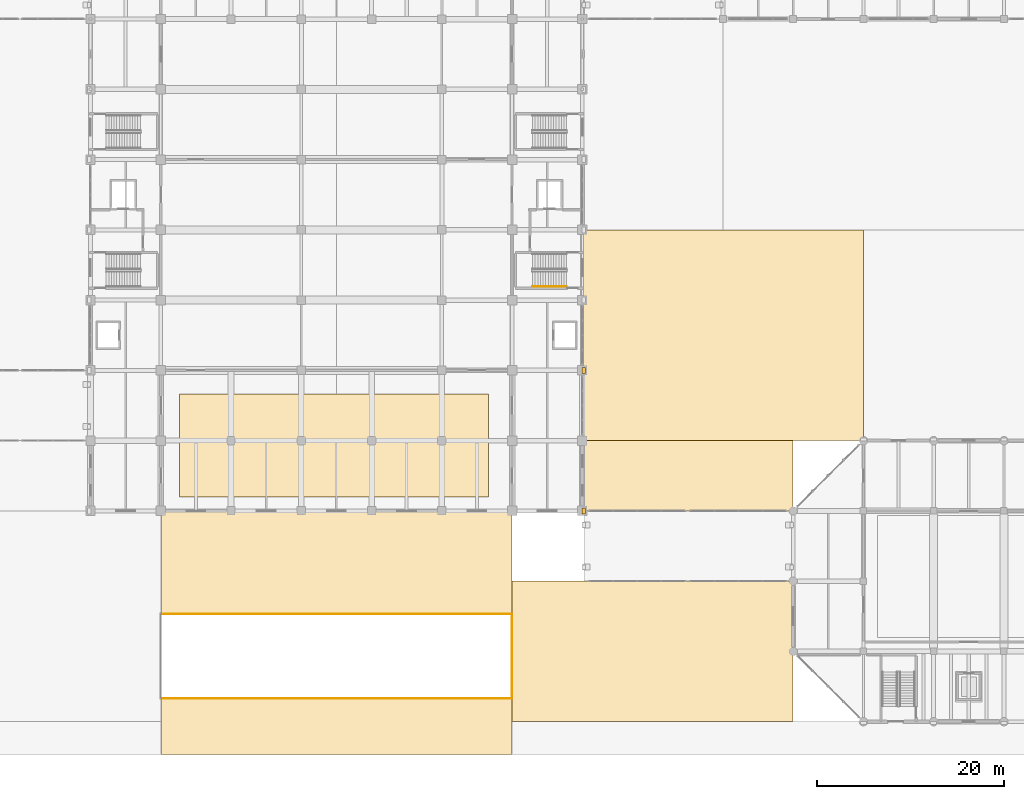
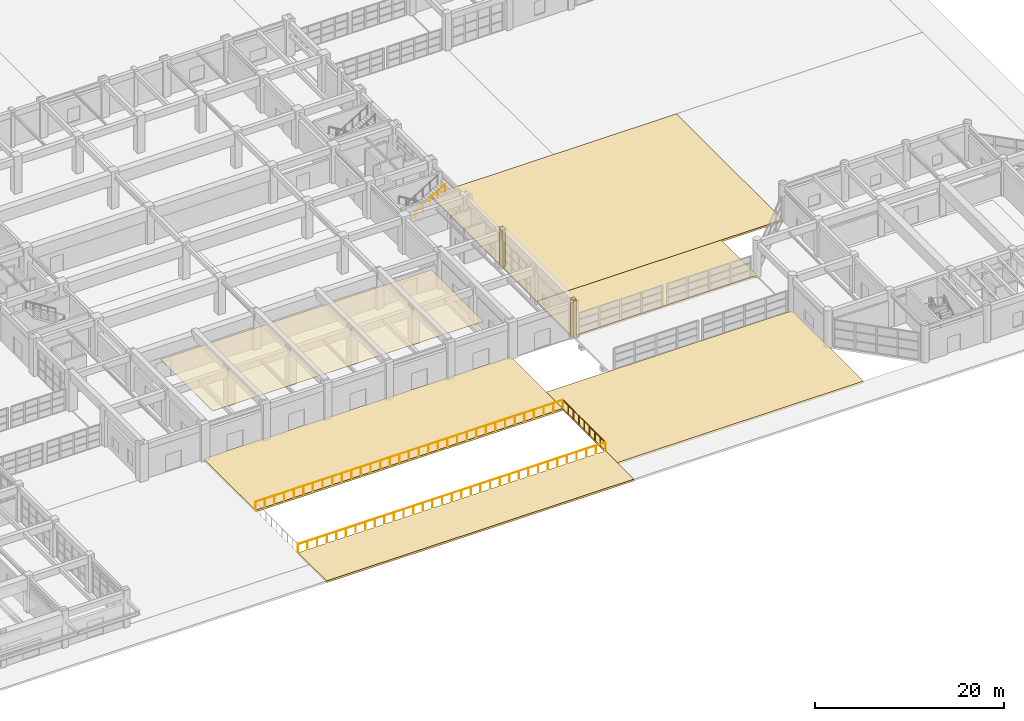
# One storey, part 110 of 122: 8 coverings, 4 railings.
"""IFC4 building model written with IfcOpenShell, lengths in metres."""

from ifc_helpers import new_model, si_unit, direction, frame, origin, origin_2d, place, context, subcontext, project, spatial, polyline, rectangle, circle, outline, extrude, material, layer, layer_set, type_object, element, save


model = new_model("IFC4")

# Units and contexts
model_context = context("Model", 3, precision=1e-05, world=origin(), true_north=direction((0.0, 1.0)))
body_context = subcontext(model_context, "Body", "Model", "MODEL_VIEW")
ifc_project = project(units=[si_unit("LENGTHUNIT", "METRE"), si_unit("AREAUNIT", "SQUARE_METRE"), si_unit("VOLUMEUNIT", "CUBIC_METRE"), si_unit("PLANEANGLEUNIT", "RADIAN"), si_unit("MASSUNIT", "GRAM", prefix="KILO")], contexts=[model_context])

# Site, building, storey
site_placement = place(None, origin())
site = spatial("IfcSite", under=ifc_project, at=site_placement, CompositionType="ELEMENT")
building_placement = place(site_placement, origin())
building = spatial("IfcBuilding", under=site, at=building_placement, Name="Qasida Concert Hall", CompositionType="ELEMENT")
storey_placement = place(building_placement, origin())
storey = spatial("IfcBuildingStorey", under=building, at=storey_placement, Name="L00", CompositionType="ELEMENT", Elevation=0.0)

# Coverings
ifc_material_1 = material(Name="Sculpted fibrous plaster acoustic reflector ceiling", Category="gypsum")
ifc_layer_1 = layer(ifc_material_1, 0.0400390625, Name="Sculpted fibrous plaster acoustic reflector ceiling")
ifc_layer_set_1 = layer_set([ifc_layer_1], Name="Sculpted fibrous plaster acoustic reflector ceiling")
covering_type_1 = type_object("IfcCoveringType", Name="CV-CE-1", PredefinedType="CEILING", material=ifc_layer_set_1)
covering_1_placement = place(storey_placement, frame((0.0, 0.0, 4.47998046875)))
element("IfcCovering", 1, at=covering_1_placement, inside=storey, type_object=covering_type_1, Name="L00 acoustic reflector ceiling 02", PredefinedType="CEILING", context=body_context, shape_type="SweptSolid", body=[
    extrude(outline(polyline([(62.0, 24.0), (95.0, 24.0), (95.0, 35.0), (62.0, 35.0), (62.0, 24.0)])), origin(), (0.0, 0.0, 1.0), 0.0400390625),
])
ifc_material_2 = material(Name="Bush-hammered Lebanese limestone plaza paving", Category="masonry")
ifc_layer_2 = layer(ifc_material_2, 0.25, Name="Bush-hammered Lebanese limestone plaza paving")
ifc_layer_set_2 = layer_set([ifc_layer_2], Name="Bush-hammered Lebanese limestone plaza paving")
covering_type_2 = type_object("IfcCoveringType", Name="CV-PAV-250", PredefinedType="FLOORING", material=ifc_layer_set_2)
covering_2_placement = place(storey_placement, frame((0.0, 0.0, -0.25)))
element("IfcCovering", 2, at=covering_2_placement, inside=storey, type_object=covering_type_2, Name="L00 South boulevard promenade forecourt-south", PredefinedType="FLOORING", context=body_context, shape_type="SweptSolid", body=[
    extrude(outline(polyline([(60.0, -3.5), (97.5, -3.5), (97.5, 2.5), (60.0, 2.5), (60.0, -3.5)])), origin(), (0.0, 0.0, 1.0), 0.25),
])
covering_3_placement = place(storey_placement, frame((0.0, 0.0, -0.25)))
element("IfcCovering", 3, at=covering_3_placement, inside=storey, type_object=covering_type_2, Name="L00 Forecourt north sheltered wedge plaza", PredefinedType="FLOORING", context=body_context, shape_type="SweptSolid", body=[
    extrude(outline(polyline([(60.0, 11.5), (97.5, 11.5), (97.5, 22.5), (60.0, 22.5), (60.0, 11.5)])), origin(), (0.0, 0.0, 1.0), 0.25),
])
covering_4_placement = place(storey_placement, frame((0.0, 0.0, -0.25)))
element("IfcCovering", 4, at=covering_4_placement, inside=storey, type_object=covering_type_2, Name="L00 Forecourt east terrace plaza", PredefinedType="FLOORING", context=body_context, shape_type="SweptSolid", body=[
    extrude(outline(polyline([(97.5, 0.0), (127.5, 0.0), (127.5, 15.0), (97.5, 15.0), (97.5, 0.0)])), origin(), (0.0, 0.0, 1.0), 0.25),
])
covering_5_placement = place(storey_placement, frame((0.0, 0.0, -0.25)))
element("IfcCovering", 5, at=covering_5_placement, inside=storey, type_object=covering_type_2, Name="L00 Chamber west forecourt plaza", PredefinedType="FLOORING", context=body_context, shape_type="SweptSolid", body=[
    extrude(outline(polyline([(105.0, 22.5), (127.5, 22.5), (127.5, 30.0), (105.0, 30.0), (105.0, 22.5)])), origin(), (0.0, 0.0, 1.0), 0.25),
])
covering_6_placement = place(storey_placement, frame((0.0, 0.0, -0.25)))
element("IfcCovering", 6, at=covering_6_placement, inside=storey, type_object=covering_type_2, Name="L00 East symphony colonnade court south", PredefinedType="FLOORING", context=body_context, shape_type="SweptSolid", body=[
    extrude(outline(polyline([(105.0, 30.0), (135.0, 30.0), (135.0, 52.5), (105.0, 52.5), (105.0, 30.0)])), origin(), (0.0, 0.0, 1.0), 0.25),
])
ifc_material_3 = material(Name="Projecting fluted Lebanese limestone Art Deco pilaster", Category="masonry")
ifc_layer_3 = layer(ifc_material_3, 0.35009765625, Name="Projecting fluted Lebanese limestone Art Deco pilaster")
ifc_layer_set_3 = layer_set([ifc_layer_3], Name="Projecting fluted Lebanese limestone Art Deco pilaster")
covering_type_3 = type_object("IfcCoveringType", Name="CV-PIL-650", PredefinedType="CLADDING", material=ifc_layer_set_3)
for number, where, z_axis, x_axis, name in (
    (7, (105.135009765625, 22.5, 0.0), (0.0, 0.0, 1.0), (1.0, 0.0, 0.0), "L00 fluted limestone pilaster 0008"),
    (8, (105.135009765625, 37.5, 0.0), (0.0, 0.0, 1.0), (1.0, 0.0, 0.0), "L00 fluted limestone pilaster 0022"),
):
    element("IfcCovering", number, at=place(storey_placement, frame(where, z_axis=z_axis, x_axis=x_axis)), inside=storey, type_object=covering_type_3, Name=name, PredefinedType="CLADDING", context=body_context, shape_type="SweptSolid", body=[
        extrude(rectangle(XDim=0.35009765625, YDim=0.64990234375, at=origin_2d()), origin(), (0.0, 0.0, 1.0), 4.800048828125),
    ])

# Railings
ifc_material_4 = material(Name="Carved Lebanese limestone and bronze top rail", Category="masonry")
ifc_layer_4 = layer(ifc_material_4, 0.10009765625, Name="Carved Lebanese limestone and bronze top rail")
ifc_layer_set_4 = layer_set([ifc_layer_4], Name="Carved Lebanese limestone and bronze top rail")
railing_type_1 = type_object("IfcRailingType", Name="RL-BAL-1100", PredefinedType="BALUSTRADE", material=ifc_layer_set_4)
railing_1_placement = place(storey_placement, frame((60.0, 2.5, 0.0)))
element("IfcRailing", 9, at=railing_1_placement, inside=storey, type_object=railing_type_1, Name="L00 Sunken metro forecourt balustrade 0131", PredefinedType="BALUSTRADE", context=body_context, shape_type="SweptSolid", body=[
    extrude(circle(Radius=0.02392578125, at=origin_2d()), frame((0.0, 0.0, 1.09619140625), z_axis=(1.0, 0.0, 0.0), x_axis=(0.0, 1.0, 0.0)), (0.0, 0.0, 1.0), 37.5),
    extrude(circle(Radius=0.02099609375, at=origin_2d()), origin(), (0.0, 0.0, 1.0), 1.072021484375),
    extrude(circle(Radius=0.02099609375, at=origin_2d()), frame((1.171875, 0.0, 0.0)), (0.0, 0.0, 1.0), 1.072021484375),
    extrude(circle(Radius=0.02099609375, at=origin_2d()), frame((2.34375, 0.0, 0.0)), (0.0, 0.0, 1.0), 1.072021484375),
    extrude(circle(Radius=0.02099609375, at=origin_2d()), frame((3.515625, 0.0, 0.0)), (0.0, 0.0, 1.0), 1.072021484375),
    extrude(circle(Radius=0.02099609375, at=origin_2d()), frame((4.6875, 0.0, 0.0)), (0.0, 0.0, 1.0), 1.072021484375),
    extrude(circle(Radius=0.02099609375, at=origin_2d()), frame((5.859375, 0.0, 0.0)), (0.0, 0.0, 1.0), 1.072021484375),
    extrude(circle(Radius=0.02099609375, at=origin_2d()), frame((7.03125, 0.0, 0.0)), (0.0, 0.0, 1.0), 1.072021484375),
    extrude(circle(Radius=0.02099609375, at=origin_2d()), frame((8.203125, 0.0, 0.0)), (0.0, 0.0, 1.0), 1.072021484375),
    extrude(circle(Radius=0.02099609375, at=origin_2d()), frame((9.375, 0.0, 0.0)), (0.0, 0.0, 1.0), 1.072021484375),
    extrude(circle(Radius=0.02099609375, at=origin_2d()), frame((10.546875, 0.0, 0.0)), (0.0, 0.0, 1.0), 1.072021484375),
    extrude(circle(Radius=0.02099609375, at=origin_2d()), frame((11.71875, 0.0, 0.0)), (0.0, 0.0, 1.0), 1.072021484375),
    extrude(circle(Radius=0.02099609375, at=origin_2d()), frame((12.890625, 0.0, 0.0)), (0.0, 0.0, 1.0), 1.072021484375),
    extrude(circle(Radius=0.02099609375, at=origin_2d()), frame((14.0625, 0.0, 0.0)), (0.0, 0.0, 1.0), 1.072021484375),
    extrude(circle(Radius=0.02099609375, at=origin_2d()), frame((15.234375, 0.0, 0.0)), (0.0, 0.0, 1.0), 1.072021484375),
    extrude(circle(Radius=0.02099609375, at=origin_2d()), frame((16.40625, 0.0, 0.0)), (0.0, 0.0, 1.0), 1.072021484375),
    extrude(circle(Radius=0.02099609375, at=origin_2d()), frame((17.578125, 0.0, 0.0)), (0.0, 0.0, 1.0), 1.072021484375),
    extrude(circle(Radius=0.02099609375, at=origin_2d()), frame((18.75, 0.0, 0.0)), (0.0, 0.0, 1.0), 1.072021484375),
    extrude(circle(Radius=0.02099609375, at=origin_2d()), frame((19.921875, 0.0, 0.0)), (0.0, 0.0, 1.0), 1.072021484375),
    extrude(circle(Radius=0.02099609375, at=origin_2d()), frame((21.09375, 0.0, 0.0)), (0.0, 0.0, 1.0), 1.072021484375),
    extrude(circle(Radius=0.02099609375, at=origin_2d()), frame((22.265625, 0.0, 0.0)), (0.0, 0.0, 1.0), 1.072021484375),
    extrude(circle(Radius=0.02099609375, at=origin_2d()), frame((23.4375, 0.0, 0.0)), (0.0, 0.0, 1.0), 1.072021484375),
    extrude(circle(Radius=0.02099609375, at=origin_2d()), frame((24.609375, 0.0, 0.0)), (0.0, 0.0, 1.0), 1.072021484375),
    extrude(circle(Radius=0.02099609375, at=origin_2d()), frame((25.78125, 0.0, 0.0)), (0.0, 0.0, 1.0), 1.072021484375),
    extrude(circle(Radius=0.02099609375, at=origin_2d()), frame((26.953125, 0.0, 0.0)), (0.0, 0.0, 1.0), 1.072021484375),
    extrude(circle(Radius=0.02099609375, at=origin_2d()), frame((28.125, 0.0, 0.0)), (0.0, 0.0, 1.0), 1.072021484375),
    extrude(circle(Radius=0.02099609375, at=origin_2d()), frame((29.296875, 0.0, 0.0)), (0.0, 0.0, 1.0), 1.072021484375),
    extrude(circle(Radius=0.02099609375, at=origin_2d()), frame((30.46875, 0.0, 0.0)), (0.0, 0.0, 1.0), 1.072021484375),
    extrude(circle(Radius=0.02099609375, at=origin_2d()), frame((31.640625, 0.0, 0.0)), (0.0, 0.0, 1.0), 1.072021484375),
    extrude(circle(Radius=0.02099609375, at=origin_2d()), frame((32.8125, 0.0, 0.0)), (0.0, 0.0, 1.0), 1.072021484375),
    extrude(circle(Radius=0.02099609375, at=origin_2d()), frame((33.984375, 0.0, 0.0)), (0.0, 0.0, 1.0), 1.072021484375),
    extrude(circle(Radius=0.02099609375, at=origin_2d()), frame((35.15625, 0.0, 0.0)), (0.0, 0.0, 1.0), 1.072021484375),
    extrude(circle(Radius=0.02099609375, at=origin_2d()), frame((36.328125, 0.0, 0.0)), (0.0, 0.0, 1.0), 1.072021484375),
    extrude(circle(Radius=0.02099609375, at=origin_2d()), frame((37.5, 0.0, 0.0)), (0.0, 0.0, 1.0), 1.072021484375),
])
railing_2_placement = place(storey_placement, frame((97.5, 2.5, 0.0)))
element("IfcRailing", 10, at=railing_2_placement, inside=storey, type_object=railing_type_1, Name="L00 Sunken metro forecourt balustrade 0132", PredefinedType="BALUSTRADE", context=body_context, shape_type="SweptSolid", body=[
    extrude(circle(Radius=0.02392578125, at=origin_2d()), frame((0.0, 0.0, 1.09619140625), z_axis=(0.0, 1.0, 0.0), x_axis=(-1.0, 0.0, 0.0)), (0.0, 0.0, 1.0), 9.0),
    extrude(circle(Radius=0.02099609375, at=origin_2d()), origin(), (0.0, 0.0, 1.0), 1.072021484375),
    extrude(circle(Radius=0.02099609375, at=origin_2d()), frame((0.0, 1.125, 0.0)), (0.0, 0.0, 1.0), 1.072021484375),
    extrude(circle(Radius=0.02099609375, at=origin_2d()), frame((0.0, 2.25, 0.0)), (0.0, 0.0, 1.0), 1.072021484375),
    extrude(circle(Radius=0.02099609375, at=origin_2d()), frame((0.0, 3.375, 0.0)), (0.0, 0.0, 1.0), 1.072021484375),
    extrude(circle(Radius=0.02099609375, at=origin_2d()), frame((0.0, 4.5, 0.0)), (0.0, 0.0, 1.0), 1.072021484375),
    extrude(circle(Radius=0.02099609375, at=origin_2d()), frame((0.0, 5.625, 0.0)), (0.0, 0.0, 1.0), 1.072021484375),
    extrude(circle(Radius=0.02099609375, at=origin_2d()), frame((0.0, 6.75, 0.0)), (0.0, 0.0, 1.0), 1.072021484375),
    extrude(circle(Radius=0.02099609375, at=origin_2d()), frame((0.0, 7.875, 0.0)), (0.0, 0.0, 1.0), 1.072021484375),
    extrude(circle(Radius=0.02099609375, at=origin_2d()), frame((0.0, 9.0, 0.0)), (0.0, 0.0, 1.0), 1.072021484375),
])
railing_3_placement = place(storey_placement, frame((97.5, 11.5, 0.0)))
element("IfcRailing", 11, at=railing_3_placement, inside=storey, type_object=railing_type_1, Name="L00 Sunken metro forecourt balustrade 0133", PredefinedType="BALUSTRADE", context=body_context, shape_type="SweptSolid", body=[
    extrude(circle(Radius=0.02392578125, at=origin_2d()), frame((0.0, 0.0, 1.09619140625), z_axis=(-1.0, 0.0, 0.0), x_axis=(0.0, -1.0, 0.0)), (0.0, 0.0, 1.0), 37.5),
    extrude(circle(Radius=0.02099609375, at=origin_2d()), origin(), (0.0, 0.0, 1.0), 1.072021484375),
    extrude(circle(Radius=0.02099609375, at=origin_2d()), frame((-1.171875, 0.0, 0.0)), (0.0, 0.0, 1.0), 1.072021484375),
    extrude(circle(Radius=0.02099609375, at=origin_2d()), frame((-2.34375, 0.0, 0.0)), (0.0, 0.0, 1.0), 1.072021484375),
    extrude(circle(Radius=0.02099609375, at=origin_2d()), frame((-3.515625, 0.0, 0.0)), (0.0, 0.0, 1.0), 1.072021484375),
    extrude(circle(Radius=0.02099609375, at=origin_2d()), frame((-4.6875, 0.0, 0.0)), (0.0, 0.0, 1.0), 1.072021484375),
    extrude(circle(Radius=0.02099609375, at=origin_2d()), frame((-5.859375, 0.0, 0.0)), (0.0, 0.0, 1.0), 1.072021484375),
    extrude(circle(Radius=0.02099609375, at=origin_2d()), frame((-7.03125, 0.0, 0.0)), (0.0, 0.0, 1.0), 1.072021484375),
    extrude(circle(Radius=0.02099609375, at=origin_2d()), frame((-8.203125, 0.0, 0.0)), (0.0, 0.0, 1.0), 1.072021484375),
    extrude(circle(Radius=0.02099609375, at=origin_2d()), frame((-9.375, 0.0, 0.0)), (0.0, 0.0, 1.0), 1.072021484375),
    extrude(circle(Radius=0.02099609375, at=origin_2d()), frame((-10.546875, 0.0, 0.0)), (0.0, 0.0, 1.0), 1.072021484375),
    extrude(circle(Radius=0.02099609375, at=origin_2d()), frame((-11.71875, 0.0, 0.0)), (0.0, 0.0, 1.0), 1.072021484375),
    extrude(circle(Radius=0.02099609375, at=origin_2d()), frame((-12.890625, 0.0, 0.0)), (0.0, 0.0, 1.0), 1.072021484375),
    extrude(circle(Radius=0.02099609375, at=origin_2d()), frame((-14.0625, 0.0, 0.0)), (0.0, 0.0, 1.0), 1.072021484375),
    extrude(circle(Radius=0.02099609375, at=origin_2d()), frame((-15.234375, 0.0, 0.0)), (0.0, 0.0, 1.0), 1.072021484375),
    extrude(circle(Radius=0.02099609375, at=origin_2d()), frame((-16.40625, 0.0, 0.0)), (0.0, 0.0, 1.0), 1.072021484375),
    extrude(circle(Radius=0.02099609375, at=origin_2d()), frame((-17.578125, 0.0, 0.0)), (0.0, 0.0, 1.0), 1.072021484375),
    extrude(circle(Radius=0.02099609375, at=origin_2d()), frame((-18.75, 0.0, 0.0)), (0.0, 0.0, 1.0), 1.072021484375),
    extrude(circle(Radius=0.02099609375, at=origin_2d()), frame((-19.921875, 0.0, 0.0)), (0.0, 0.0, 1.0), 1.072021484375),
    extrude(circle(Radius=0.02099609375, at=origin_2d()), frame((-21.09375, 0.0, 0.0)), (0.0, 0.0, 1.0), 1.072021484375),
    extrude(circle(Radius=0.02099609375, at=origin_2d()), frame((-22.265625, 0.0, 0.0)), (0.0, 0.0, 1.0), 1.072021484375),
    extrude(circle(Radius=0.02099609375, at=origin_2d()), frame((-23.4375, 0.0, 0.0)), (0.0, 0.0, 1.0), 1.072021484375),
    extrude(circle(Radius=0.02099609375, at=origin_2d()), frame((-24.609375, 0.0, 0.0)), (0.0, 0.0, 1.0), 1.072021484375),
    extrude(circle(Radius=0.02099609375, at=origin_2d()), frame((-25.78125, 0.0, 0.0)), (0.0, 0.0, 1.0), 1.072021484375),
    extrude(circle(Radius=0.02099609375, at=origin_2d()), frame((-26.953125, 0.0, 0.0)), (0.0, 0.0, 1.0), 1.072021484375),
    extrude(circle(Radius=0.02099609375, at=origin_2d()), frame((-28.125, 0.0, 0.0)), (0.0, 0.0, 1.0), 1.072021484375),
    extrude(circle(Radius=0.02099609375, at=origin_2d()), frame((-29.296875, 0.0, 0.0)), (0.0, 0.0, 1.0), 1.072021484375),
    extrude(circle(Radius=0.02099609375, at=origin_2d()), frame((-30.46875, 0.0, 0.0)), (0.0, 0.0, 1.0), 1.072021484375),
    extrude(circle(Radius=0.02099609375, at=origin_2d()), frame((-31.640625, 0.0, 0.0)), (0.0, 0.0, 1.0), 1.072021484375),
    extrude(circle(Radius=0.02099609375, at=origin_2d()), frame((-32.8125, 0.0, 0.0)), (0.0, 0.0, 1.0), 1.072021484375),
    extrude(circle(Radius=0.02099609375, at=origin_2d()), frame((-33.984375, 0.0, 0.0)), (0.0, 0.0, 1.0), 1.072021484375),
    extrude(circle(Radius=0.02099609375, at=origin_2d()), frame((-35.15625, 0.0, 0.0)), (0.0, 0.0, 1.0), 1.072021484375),
    extrude(circle(Radius=0.02099609375, at=origin_2d()), frame((-36.328125, 0.0, 0.0)), (0.0, 0.0, 1.0), 1.072021484375),
    extrude(circle(Radius=0.02099609375, at=origin_2d()), frame((-37.5, 0.0, 0.0)), (0.0, 0.0, 1.0), 1.072021484375),
])
ifc_material_5 = material(Name="Patinated tubular architectural bronze", Category="steel")
ifc_layer_5 = layer(ifc_material_5, 0.050048828125, Name="Patinated tubular architectural bronze")
ifc_layer_set_5 = layer_set([ifc_layer_5], Name="Patinated tubular architectural bronze")
railing_type_2 = type_object("IfcRailingType", Name="RL-HND-900", PredefinedType="HANDRAIL", material=ifc_layer_set_5)
railing_4_placement = place(storey_placement, frame((99.679931640625, 46.449951171875, 2.571533203125)))
element("IfcRailing", 12, at=railing_4_placement, inside=storey, type_object=railing_type_2, Name="L00 ST-02 stair handrail 2", PredefinedType="HANDRAIL", context=body_context, shape_type="SweptSolid", body=[
    extrude(circle(Radius=0.02392578125, at=origin_2d()), frame((0.0, 0.0, 0.8759765625), z_axis=(0.852865859571, 0.0, 0.52213008492), x_axis=(0.0, 1.0, 0.0)), (0.0, 0.0, 1.0), 4.26806640625),
    extrude(circle(Radius=0.02099609375, at=origin_2d()), origin(), (0.0, 0.0, 1.0), 0.851806640625),
    extrude(circle(Radius=0.02099609375, at=origin_2d()), frame((0.91015625, 0.0, 0.55712890625)), (0.0, 0.0, 1.0), 0.851806640625),
    extrude(circle(Radius=0.02099609375, at=origin_2d()), frame((1.820068359375, 0.0, 1.1142578125)), (0.0, 0.0, 1.0), 0.851806640625),
    extrude(circle(Radius=0.02099609375, at=origin_2d()), frame((2.72998046875, 0.0, 1.67138671875)), (0.0, 0.0, 1.0), 0.851806640625),
    extrude(circle(Radius=0.02099609375, at=origin_2d()), frame((3.64013671875, 0.0, 2.228515625)), (0.0, 0.0, 1.0), 0.851806640625),
])

save(model, "model.ifc")
